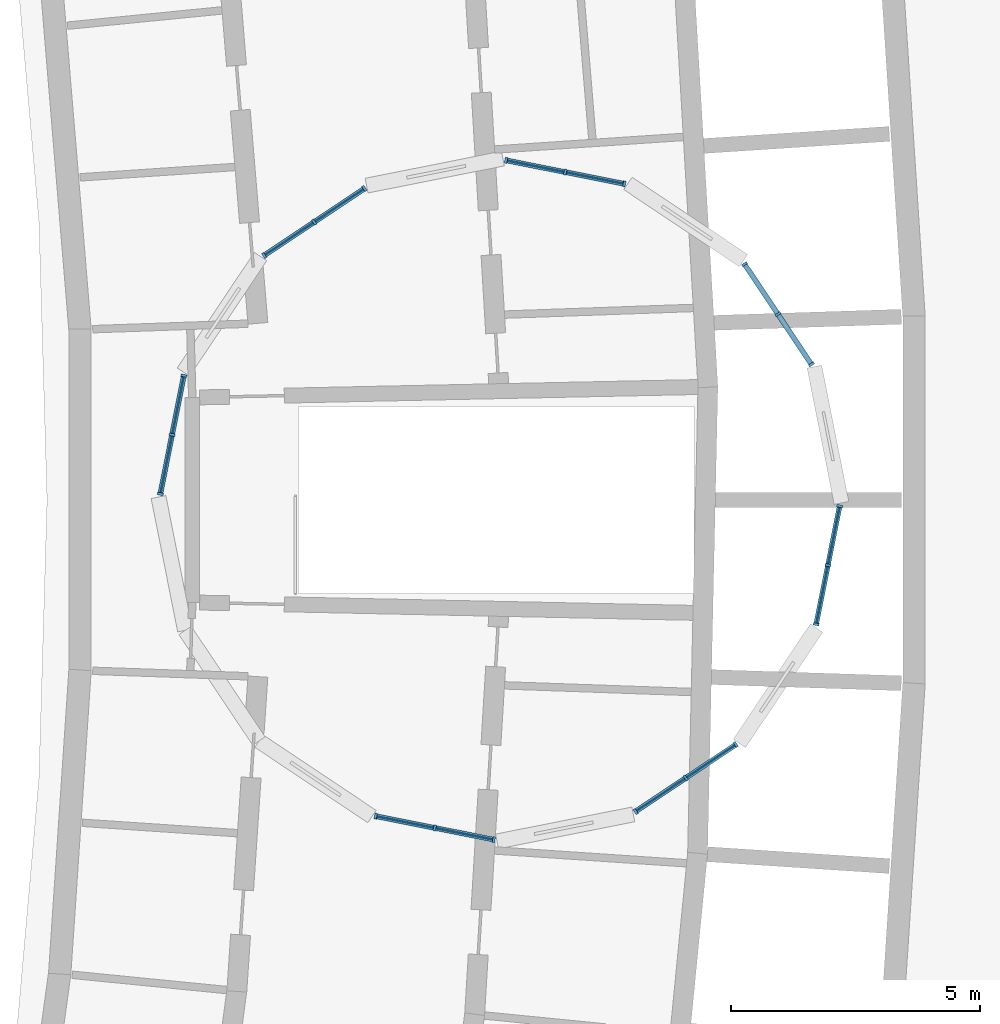
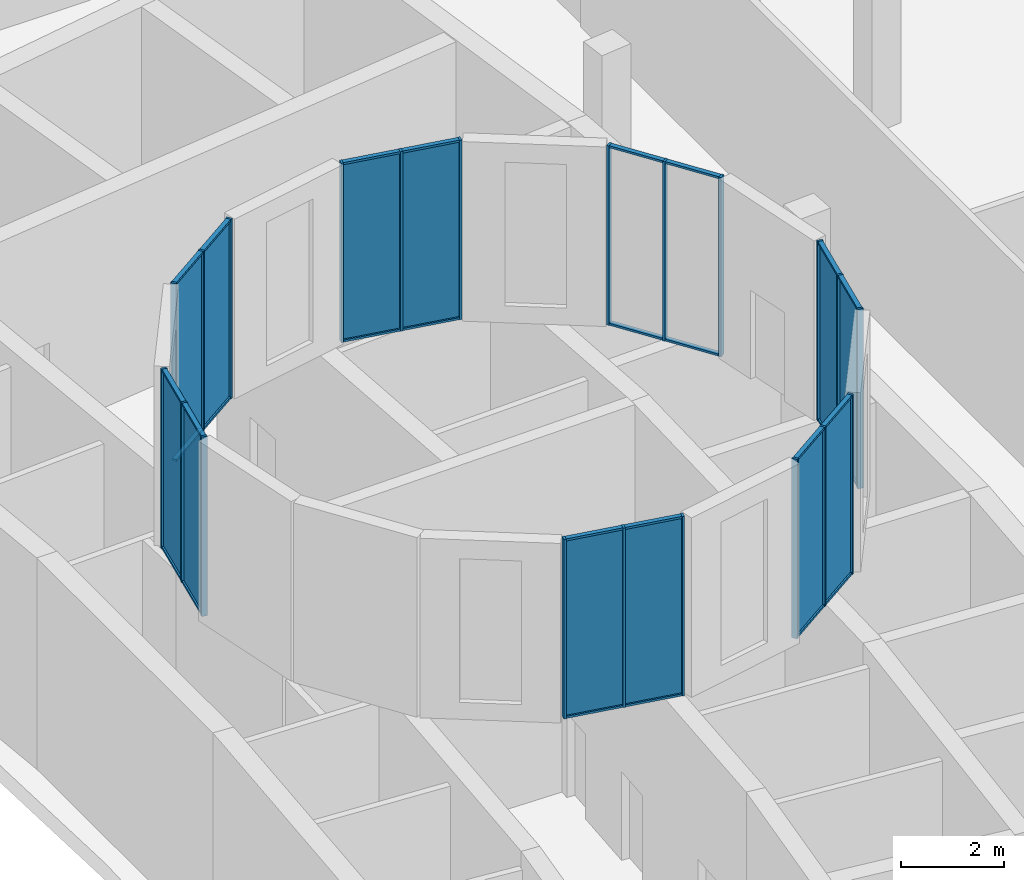
# One storey, part 2 of 9: 49 members, 12 plates, 7 elements without a shape of their own.
"""IFC4 building model written with IfcOpenShell, lengths in metres."""

from ifc_helpers import new_model, si_unit, direction, frame, origin, origin_2d, place, context, subcontext, project, spatial, rectangle, extrude, material, layer, layer_set, material_profile, profile_set, type_object, element, aggregate, save


model = new_model("IFC4")

# Units and contexts
model_context = context("Model", 3, precision=1e-05, world=origin(), true_north=direction((0.0, 1.0)))
body_context = subcontext(model_context, "Body", "Model", "MODEL_VIEW")
ifc_project = project(units=[si_unit("LENGTHUNIT", "METRE"), si_unit("AREAUNIT", "SQUARE_METRE"), si_unit("VOLUMEUNIT", "CUBIC_METRE"), si_unit("PLANEANGLEUNIT", "RADIAN"), si_unit("MASSUNIT", "GRAM", prefix="KILO")], contexts=[model_context])

# Site, building, storey
site_placement = place(None, origin())
site = spatial("IfcSite", under=ifc_project, at=site_placement, CompositionType="ELEMENT")
building_placement = place(site_placement, origin())
building = spatial("IfcBuilding", under=site, at=building_placement, Name="Alderwake Tower", CompositionType="ELEMENT")
storey_placement = place(building_placement, frame((0.0, 0.0, 310.0)))
storey = spatial("IfcBuildingStorey", under=building, at=storey_placement, Name="L75", CompositionType="ELEMENT", Elevation=310.0)

# Curtain wall, members
ifc_material_1 = material(Name="Bronze tinted glass in aluminium frame", Category="aluminium")
ifc_layer_1 = layer(ifc_material_1, 0.199951171875)
ifc_layer_set_1 = layer_set([ifc_layer_1], Name="Curtain wall CW6 crown drum glazing")
curtain_wall_type = type_object("IfcCurtainWallType", Name="Curtain wall CW6 crown drum glazing", PredefinedType="NOTDEFINED", material=ifc_layer_set_1)
curtain_wall_1_placement = place(storey_placement, origin())
curtain_wall_1 = element("IfcCurtainWall", 1, at=curtain_wall_1_placement, inside=storey, type_object=curtain_wall_type, Name="Curtain wall 1", PredefinedType="NOTDEFINED")
ifc_material_2 = material(Name="Aluminium bronze anodised", Category="aluminium")
ifc_material_profile_1 = material_profile(ifc_material_2, rectangle(XDim=0.1201171875, YDim=0.050048828125, at=origin_2d()), Name="Mullion MUF 50x120")
ifc_profile_set_1 = profile_set([ifc_material_profile_1], Name="Aluminium bronze anodised")
member_type_1 = type_object("IfcMemberType", Name="Mullion MUF 50x120", PredefinedType="MULLION", material=ifc_profile_set_1)
member_1_placement = place(storey_placement, frame((31.3564453125, 63.72412109375, 5.0), z_axis=(0.0, 0.0, 1.0), x_axis=(-0.831483427361, -0.555549556768, 0.0)))
member_1 = element("IfcMember", 2, at=member_1_placement, type_object=member_type_1, Name="CW.01 mullion 1", PredefinedType="MULLION", context=body_context, shape_type="SweptSolid", body=[
    extrude(rectangle(XDim=0.1201171875, YDim=0.050048828125, at=origin_2d()), origin(), (0.0, 0.0, 1.0), 4.25),
])
member_2_placement = place(storey_placement, frame((30.683837890625, 64.73095703125, 5.0), z_axis=(0.0, 0.0, 1.0), x_axis=(-0.831483427361, -0.555549556768, 0.0)))
member_2 = element("IfcMember", 3, at=member_2_placement, type_object=member_type_1, Name="CW.01 mullion 2", PredefinedType="MULLION", context=body_context, shape_type="SweptSolid", body=[
    extrude(rectangle(XDim=0.1201171875, YDim=0.050048828125, at=origin_2d()), origin(), (0.0, 0.0, 1.0), 4.25),
])
member_3_placement = place(storey_placement, frame((30.010986328125, 65.73779296875, 5.0), z_axis=(0.0, 0.0, 1.0), x_axis=(-0.831483427361, -0.555549556768, 0.0)))
member_3 = element("IfcMember", 4, at=member_3_placement, type_object=member_type_1, Name="CW.01 mullion 3", PredefinedType="MULLION", context=body_context, shape_type="SweptSolid", body=[
    extrude(rectangle(XDim=0.1201171875, YDim=0.050048828125, at=origin_2d()), origin(), (0.0, 0.0, 1.0), 4.25),
])

curtain_wall_2_placement = place(storey_placement, origin())
curtain_wall_2 = element("IfcCurtainWall", 5, at=curtain_wall_2_placement, inside=storey, type_object=curtain_wall_type, Name="Curtain wall 2", PredefinedType="NOTDEFINED")
member_4_placement = place(storey_placement, frame((27.59765625, 67.350341796875, 5.0), z_axis=(0.0, 0.0, 1.0), x_axis=(-0.195096755547, -0.980784000672, 0.0)))
member_4 = element("IfcMember", 6, at=member_4_placement, type_object=member_type_1, Name="CW.02 mullion 1", PredefinedType="MULLION", context=body_context, shape_type="SweptSolid", body=[
    extrude(rectangle(XDim=0.1201171875, YDim=0.050048828125, at=origin_2d()), origin(), (0.0, 0.0, 1.0), 4.25),
])
member_5_placement = place(storey_placement, frame((26.41015625, 67.58642578125, 5.0), z_axis=(0.0, 0.0, 1.0), x_axis=(-0.195096755547, -0.980784000672, 0.0)))
member_5 = element("IfcMember", 7, at=member_5_placement, type_object=member_type_1, Name="CW.02 mullion 2", PredefinedType="MULLION", context=body_context, shape_type="SweptSolid", body=[
    extrude(rectangle(XDim=0.1201171875, YDim=0.050048828125, at=origin_2d()), origin(), (0.0, 0.0, 1.0), 4.25),
])
member_6_placement = place(storey_placement, frame((25.22265625, 67.82275390625, 5.0), z_axis=(0.0, 0.0, 1.0), x_axis=(-0.195096755547, -0.980784000672, 0.0)))
member_6 = element("IfcMember", 8, at=member_6_placement, type_object=member_type_1, Name="CW.02 mullion 3", PredefinedType="MULLION", context=body_context, shape_type="SweptSolid", body=[
    extrude(rectangle(XDim=0.1201171875, YDim=0.050048828125, at=origin_2d()), origin(), (0.0, 0.0, 1.0), 4.25),
])

curtain_wall_3_placement = place(storey_placement, origin())
curtain_wall_3 = element("IfcCurtainWall", 9, at=curtain_wall_3_placement, inside=storey, type_object=curtain_wall_type, Name="Curtain wall 3", PredefinedType="NOTDEFINED")
member_7_placement = place(storey_placement, frame((22.375732421875, 67.25634765625, 5.0), z_axis=(0.0, 0.0, 1.0), x_axis=(0.555549556768, -0.831483427361, 0.0)))
member_7 = element("IfcMember", 10, at=member_7_placement, type_object=member_type_1, Name="CW.03 mullion 1", PredefinedType="MULLION", context=body_context, shape_type="SweptSolid", body=[
    extrude(rectangle(XDim=0.1201171875, YDim=0.050048828125, at=origin_2d()), origin(), (0.0, 0.0, 1.0), 4.25),
])
member_8_placement = place(storey_placement, frame((21.369140625, 66.583740234375, 5.0), z_axis=(0.0, 0.0, 1.0), x_axis=(0.555549556768, -0.831483427361, 0.0)))
member_8 = element("IfcMember", 11, at=member_8_placement, type_object=member_type_1, Name="CW.03 mullion 2", PredefinedType="MULLION", context=body_context, shape_type="SweptSolid", body=[
    extrude(rectangle(XDim=0.1201171875, YDim=0.050048828125, at=origin_2d()), origin(), (0.0, 0.0, 1.0), 4.25),
])
member_9_placement = place(storey_placement, frame((20.3623046875, 65.9111328125, 5.0), z_axis=(0.0, 0.0, 1.0), x_axis=(0.555549556768, -0.831483427361, 0.0)))
member_9 = element("IfcMember", 12, at=member_9_placement, type_object=member_type_1, Name="CW.03 mullion 3", PredefinedType="MULLION", context=body_context, shape_type="SweptSolid", body=[
    extrude(rectangle(XDim=0.1201171875, YDim=0.050048828125, at=origin_2d()), origin(), (0.0, 0.0, 1.0), 4.25),
])

curtain_wall_4_placement = place(storey_placement, origin())
curtain_wall_4 = element("IfcCurtainWall", 13, at=curtain_wall_4_placement, inside=storey, type_object=curtain_wall_type, Name="Curtain wall 4", PredefinedType="NOTDEFINED")
member_10_placement = place(storey_placement, frame((18.749755859375, 63.49755859375, 5.0), z_axis=(0.0, 0.0, 1.0), x_axis=(0.980784000672, -0.195096755547, 0.0)))
member_10 = element("IfcMember", 14, at=member_10_placement, type_object=member_type_1, Name="CW.04 mullion 1", PredefinedType="MULLION", context=body_context, shape_type="SweptSolid", body=[
    extrude(rectangle(XDim=0.1201171875, YDim=0.050048828125, at=origin_2d()), origin(), (0.0, 0.0, 1.0), 4.25),
])
member_11_placement = place(storey_placement, frame((18.513427734375, 62.31005859375, 5.0), z_axis=(0.0, 0.0, 1.0), x_axis=(0.980784000672, -0.195096755547, 0.0)))
member_11 = element("IfcMember", 15, at=member_11_placement, type_object=member_type_1, Name="CW.04 mullion 2", PredefinedType="MULLION", context=body_context, shape_type="SweptSolid", body=[
    extrude(rectangle(XDim=0.1201171875, YDim=0.050048828125, at=origin_2d()), origin(), (0.0, 0.0, 1.0), 4.25),
])
member_12_placement = place(storey_placement, frame((18.27734375, 61.12255859375, 5.0), z_axis=(0.0, 0.0, 1.0), x_axis=(0.980784000672, -0.195096755547, 0.0)))
member_12 = element("IfcMember", 16, at=member_12_placement, type_object=member_type_1, Name="CW.04 mullion 3", PredefinedType="MULLION", context=body_context, shape_type="SweptSolid", body=[
    extrude(rectangle(XDim=0.1201171875, YDim=0.050048828125, at=origin_2d()), origin(), (0.0, 0.0, 1.0), 4.25),
])

curtain_wall_5_placement = place(storey_placement, origin())
curtain_wall_5 = element("IfcCurtainWall", 17, at=curtain_wall_5_placement, inside=storey, type_object=curtain_wall_type, Name="Curtain wall 5", PredefinedType="NOTDEFINED")
member_13_placement = place(storey_placement, frame((22.602294921875, 54.649658203125, 5.0), z_axis=(0.0, 0.0, 1.0), x_axis=(0.195096755547, 0.980784000672, 0.0)))
member_13 = element("IfcMember", 18, at=member_13_placement, type_object=member_type_1, Name="CW.05 mullion 1", PredefinedType="MULLION", context=body_context, shape_type="SweptSolid", body=[
    extrude(rectangle(XDim=0.1201171875, YDim=0.050048828125, at=origin_2d()), origin(), (0.0, 0.0, 1.0), 4.25),
])
member_14_placement = place(storey_placement, frame((23.789794921875, 54.41357421875, 5.0), z_axis=(0.0, 0.0, 1.0), x_axis=(0.195096755547, 0.980784000672, 0.0)))
member_14 = element("IfcMember", 19, at=member_14_placement, type_object=member_type_1, Name="CW.05 mullion 2", PredefinedType="MULLION", context=body_context, shape_type="SweptSolid", body=[
    extrude(rectangle(XDim=0.1201171875, YDim=0.050048828125, at=origin_2d()), origin(), (0.0, 0.0, 1.0), 4.25),
])
member_15_placement = place(storey_placement, frame((24.977294921875, 54.17724609375, 5.0), z_axis=(0.0, 0.0, 1.0), x_axis=(0.195096755547, 0.980784000672, 0.0)))
member_15 = element("IfcMember", 20, at=member_15_placement, type_object=member_type_1, Name="CW.05 mullion 3", PredefinedType="MULLION", context=body_context, shape_type="SweptSolid", body=[
    extrude(rectangle(XDim=0.1201171875, YDim=0.050048828125, at=origin_2d()), origin(), (0.0, 0.0, 1.0), 4.25),
])

curtain_wall_6_placement = place(storey_placement, origin())
curtain_wall_6 = element("IfcCurtainWall", 21, at=curtain_wall_6_placement, inside=storey, type_object=curtain_wall_type, Name="Curtain wall 6", PredefinedType="NOTDEFINED")
member_16_placement = place(storey_placement, frame((27.82421875, 54.74365234375, 5.0), z_axis=(0.0, 0.0, 1.0), x_axis=(-0.555549556768, 0.831483427361, 0.0)))
member_16 = element("IfcMember", 22, at=member_16_placement, type_object=member_type_1, Name="CW.06 mullion 1", PredefinedType="MULLION", context=body_context, shape_type="SweptSolid", body=[
    extrude(rectangle(XDim=0.1201171875, YDim=0.050048828125, at=origin_2d()), origin(), (0.0, 0.0, 1.0), 4.25),
])
member_17_placement = place(storey_placement, frame((28.8310546875, 55.416259765625, 5.0), z_axis=(0.0, 0.0, 1.0), x_axis=(-0.555549556768, 0.831483427361, 0.0)))
member_17 = element("IfcMember", 23, at=member_17_placement, type_object=member_type_1, Name="CW.06 mullion 2", PredefinedType="MULLION", context=body_context, shape_type="SweptSolid", body=[
    extrude(rectangle(XDim=0.1201171875, YDim=0.050048828125, at=origin_2d()), origin(), (0.0, 0.0, 1.0), 4.25),
])
member_18_placement = place(storey_placement, frame((29.837646484375, 56.0888671875, 5.0), z_axis=(0.0, 0.0, 1.0), x_axis=(-0.555549556768, 0.831483427361, 0.0)))
member_18 = element("IfcMember", 24, at=member_18_placement, type_object=member_type_1, Name="CW.06 mullion 3", PredefinedType="MULLION", context=body_context, shape_type="SweptSolid", body=[
    extrude(rectangle(XDim=0.1201171875, YDim=0.050048828125, at=origin_2d()), origin(), (0.0, 0.0, 1.0), 4.25),
])

curtain_wall_7_placement = place(storey_placement, origin())
curtain_wall_7 = element("IfcCurtainWall", 25, at=curtain_wall_7_placement, inside=storey, type_object=curtain_wall_type, Name="Curtain wall 7", PredefinedType="NOTDEFINED")
member_19_placement = place(storey_placement, frame((31.4501953125, 58.50244140625, 5.0), z_axis=(0.0, 0.0, 1.0), x_axis=(-0.980784000672, 0.195096755547, 0.0)))
member_19 = element("IfcMember", 26, at=member_19_placement, type_object=member_type_1, Name="CW.07 mullion 1", PredefinedType="MULLION", context=body_context, shape_type="SweptSolid", body=[
    extrude(rectangle(XDim=0.1201171875, YDim=0.050048828125, at=origin_2d()), origin(), (0.0, 0.0, 1.0), 4.25),
])
member_20_placement = place(storey_placement, frame((31.6865234375, 59.68994140625, 5.0), z_axis=(0.0, 0.0, 1.0), x_axis=(-0.980784000672, 0.195096755547, 0.0)))
member_20 = element("IfcMember", 27, at=member_20_placement, type_object=member_type_1, Name="CW.07 mullion 2", PredefinedType="MULLION", context=body_context, shape_type="SweptSolid", body=[
    extrude(rectangle(XDim=0.1201171875, YDim=0.050048828125, at=origin_2d()), origin(), (0.0, 0.0, 1.0), 4.25),
])
member_21_placement = place(storey_placement, frame((31.922607421875, 60.87744140625, 5.0), z_axis=(0.0, 0.0, 1.0), x_axis=(-0.980784000672, 0.195096755547, 0.0)))
member_21 = element("IfcMember", 28, at=member_21_placement, type_object=member_type_1, Name="CW.07 mullion 3", PredefinedType="MULLION", context=body_context, shape_type="SweptSolid", body=[
    extrude(rectangle(XDim=0.1201171875, YDim=0.050048828125, at=origin_2d()), origin(), (0.0, 0.0, 1.0), 4.25),
])

# Member
ifc_material_3 = material(Name="Aluminium bronze anodised", Category="aluminium")
ifc_material_profile_2 = material_profile(ifc_material_3, rectangle(XDim=0.10009765625, YDim=0.050048828125, at=origin_2d()), Name="Transom TRF 50x100")
ifc_profile_set_2 = profile_set([ifc_material_profile_2], Name="Aluminium bronze anodised")
member_type_2 = type_object("IfcMemberType", Name="Transom TRF 50x100", PredefinedType="USERDEFINED", material=ifc_profile_set_2)
member_22_placement = place(storey_placement, frame((31.342529296875, 63.744873046875, 5.02490234375), z_axis=(-0.555427979103, 0.831564645731, 0.0), x_axis=(-0.831564645731, -0.555427979103, 0.0)))
member_22 = element("IfcMember", 29, at=member_22_placement, type_object=member_type_2, Name="CW.01 transom 1.1", ObjectType="TRANSOM", PredefinedType="USERDEFINED", context=body_context, shape_type="SweptSolid", body=[
    extrude(rectangle(XDim=0.10009765625, YDim=0.050048828125, at=origin_2d()), origin(), (0.0, 0.0, 1.0), 1.160888671875),
])

member_23_placement = place(storey_placement, frame((31.342529296875, 63.744873046875, 9.22509765625), z_axis=(-0.555427979103, 0.831564645731, 0.0), x_axis=(-0.831564645731, -0.555427979103, 0.0)))
member_23 = element("IfcMember", 30, at=member_23_placement, type_object=member_type_2, Name="CW.01 transom 1.2", ObjectType="TRANSOM", PredefinedType="USERDEFINED", context=body_context, shape_type="SweptSolid", body=[
    extrude(rectangle(XDim=0.10009765625, YDim=0.050048828125, at=origin_2d()), origin(), (0.0, 0.0, 1.0), 1.160888671875),
])

member_24_placement = place(storey_placement, frame((30.669921875, 64.751708984375, 5.02490234375), z_axis=(-0.555573382746, 0.831467507714, 0.0), x_axis=(-0.831467507714, -0.555573382746, 0.0)))
member_24 = element("IfcMember", 31, at=member_24_placement, type_object=member_type_2, Name="CW.01 transom 2.1", ObjectType="TRANSOM", PredefinedType="USERDEFINED", context=body_context, shape_type="SweptSolid", body=[
    extrude(rectangle(XDim=0.10009765625, YDim=0.050048828125, at=origin_2d()), origin(), (0.0, 0.0, 1.0), 1.160888671875),
])

member_25_placement = place(storey_placement, frame((30.669921875, 64.751708984375, 9.22509765625), z_axis=(-0.555573382746, 0.831467507714, 0.0), x_axis=(-0.831467507714, -0.555573382746, 0.0)))
member_25 = element("IfcMember", 32, at=member_25_placement, type_object=member_type_2, Name="CW.01 transom 2.2", ObjectType="TRANSOM", PredefinedType="USERDEFINED", context=body_context, shape_type="SweptSolid", body=[
    extrude(rectangle(XDim=0.10009765625, YDim=0.050048828125, at=origin_2d()), origin(), (0.0, 0.0, 1.0), 1.160888671875),
])

aggregate(curtain_wall_1, [member_1, member_2, member_3, member_22, member_23, member_24, member_25])

member_26_placement = place(storey_placement, frame((27.5732421875, 67.355224609375, 5.02490234375), z_axis=(-0.98081453383, 0.19494319744, 0.0), x_axis=(-0.19494319744, -0.98081453383, 0.0)))
member_26 = element("IfcMember", 33, at=member_26_placement, type_object=member_type_2, Name="CW.02 transom 1.1", ObjectType="TRANSOM", PredefinedType="USERDEFINED", context=body_context, shape_type="SweptSolid", body=[
    extrude(rectangle(XDim=0.10009765625, YDim=0.050048828125, at=origin_2d()), origin(), (0.0, 0.0, 1.0), 1.160888671875),
])

member_27_placement = place(storey_placement, frame((27.5732421875, 67.355224609375, 9.22509765625), z_axis=(-0.98081453383, 0.19494319744, 0.0), x_axis=(-0.19494319744, -0.98081453383, 0.0)))
member_27 = element("IfcMember", 34, at=member_27_placement, type_object=member_type_2, Name="CW.02 transom 1.2", ObjectType="TRANSOM", PredefinedType="USERDEFINED", context=body_context, shape_type="SweptSolid", body=[
    extrude(rectangle(XDim=0.10009765625, YDim=0.050048828125, at=origin_2d()), origin(), (0.0, 0.0, 1.0), 1.160888671875),
])

member_28_placement = place(storey_placement, frame((26.3857421875, 67.59130859375, 5.02490234375), z_axis=(-0.980774305612, 0.195145487909, 0.0), x_axis=(-0.195145487909, -0.980774305612, 0.0)))
member_28 = element("IfcMember", 35, at=member_28_placement, type_object=member_type_2, Name="CW.02 transom 2.1", ObjectType="TRANSOM", PredefinedType="USERDEFINED", context=body_context, shape_type="SweptSolid", body=[
    extrude(rectangle(XDim=0.10009765625, YDim=0.050048828125, at=origin_2d()), origin(), (0.0, 0.0, 1.0), 1.160888671875),
])

member_29_placement = place(storey_placement, frame((26.3857421875, 67.59130859375, 9.22509765625), z_axis=(-0.980774305612, 0.195145487909, 0.0), x_axis=(-0.195145487909, -0.980774305612, 0.0)))
member_29 = element("IfcMember", 36, at=member_29_placement, type_object=member_type_2, Name="CW.02 transom 2.2", ObjectType="TRANSOM", PredefinedType="USERDEFINED", context=body_context, shape_type="SweptSolid", body=[
    extrude(rectangle(XDim=0.10009765625, YDim=0.050048828125, at=origin_2d()), origin(), (0.0, 0.0, 1.0), 1.160888671875),
])

member_30_placement = place(storey_placement, frame((22.35498046875, 67.242431640625, 5.02490234375), z_axis=(-0.831499748107, -0.555525128953, 0.0), x_axis=(0.555525128953, -0.831499748107, 0.0)))
member_30 = element("IfcMember", 37, at=member_30_placement, type_object=member_type_2, Name="CW.03 transom 1.1", ObjectType="TRANSOM", PredefinedType="USERDEFINED", context=body_context, shape_type="SweptSolid", body=[
    extrude(rectangle(XDim=0.10009765625, YDim=0.050048828125, at=origin_2d()), origin(), (0.0, 0.0, 1.0), 1.16064453125),
])

member_31_placement = place(storey_placement, frame((22.35498046875, 67.242431640625, 9.22509765625), z_axis=(-0.831499748107, -0.555525128953, 0.0), x_axis=(0.555525128953, -0.831499748107, 0.0)))
member_31 = element("IfcMember", 38, at=member_31_placement, type_object=member_type_2, Name="CW.03 transom 1.2", ObjectType="TRANSOM", PredefinedType="USERDEFINED", context=body_context, shape_type="SweptSolid", body=[
    extrude(rectangle(XDim=0.10009765625, YDim=0.050048828125, at=origin_2d()), origin(), (0.0, 0.0, 1.0), 1.16064453125),
])

member_32_placement = place(storey_placement, frame((21.34814453125, 66.56982421875, 5.02490234375), z_axis=(-0.831499748107, -0.555525128953, 0.0), x_axis=(0.555525128953, -0.831499748107, 0.0)))
member_32 = element("IfcMember", 39, at=member_32_placement, type_object=member_type_2, Name="CW.03 transom 2.1", ObjectType="TRANSOM", PredefinedType="USERDEFINED", context=body_context, shape_type="SweptSolid", body=[
    extrude(rectangle(XDim=0.10009765625, YDim=0.050048828125, at=origin_2d()), origin(), (0.0, 0.0, 1.0), 1.16064453125),
])

member_33_placement = place(storey_placement, frame((21.34814453125, 66.56982421875, 9.22509765625), z_axis=(-0.831499748107, -0.555525128953, 0.0), x_axis=(0.555525128953, -0.831499748107, 0.0)))
member_33 = element("IfcMember", 40, at=member_33_placement, type_object=member_type_2, Name="CW.03 transom 2.2", ObjectType="TRANSOM", PredefinedType="USERDEFINED", context=body_context, shape_type="SweptSolid", body=[
    extrude(rectangle(XDim=0.10009765625, YDim=0.050048828125, at=origin_2d()), origin(), (0.0, 0.0, 1.0), 1.16064453125),
])

member_34_placement = place(storey_placement, frame((18.744873046875, 63.47314453125, 5.02490234375), z_axis=(-0.195185743475, -0.980766295069, 0.0), x_axis=(0.980766295069, -0.195185743475, 0.0)))
member_34 = element("IfcMember", 41, at=member_34_placement, type_object=member_type_2, Name="CW.04 transom 1.1", ObjectType="TRANSOM", PredefinedType="USERDEFINED", context=body_context, shape_type="SweptSolid", body=[
    extrude(rectangle(XDim=0.10009765625, YDim=0.050048828125, at=origin_2d()), origin(), (0.0, 0.0, 1.0), 1.16064453125),
])

member_35_placement = place(storey_placement, frame((18.744873046875, 63.47314453125, 9.22509765625), z_axis=(-0.195185743475, -0.980766295069, 0.0), x_axis=(0.980766295069, -0.195185743475, 0.0)))
member_35 = element("IfcMember", 42, at=member_35_placement, type_object=member_type_2, Name="CW.04 transom 1.2", ObjectType="TRANSOM", PredefinedType="USERDEFINED", context=body_context, shape_type="SweptSolid", body=[
    extrude(rectangle(XDim=0.10009765625, YDim=0.050048828125, at=origin_2d()), origin(), (0.0, 0.0, 1.0), 1.16064453125),
])

member_36_placement = place(storey_placement, frame((18.508544921875, 62.28564453125, 5.02490234375), z_axis=(-0.194983414577, -0.980806539558, 0.0), x_axis=(0.980806539558, -0.194983414577, 0.0)))
member_36 = element("IfcMember", 43, at=member_36_placement, type_object=member_type_2, Name="CW.04 transom 2.1", ObjectType="TRANSOM", PredefinedType="USERDEFINED", context=body_context, shape_type="SweptSolid", body=[
    extrude(rectangle(XDim=0.10009765625, YDim=0.050048828125, at=origin_2d()), origin(), (0.0, 0.0, 1.0), 1.16064453125),
])

member_37_placement = place(storey_placement, frame((18.508544921875, 62.28564453125, 9.22509765625), z_axis=(-0.194983414577, -0.980806539558, 0.0), x_axis=(0.980806539558, -0.194983414577, 0.0)))
member_37 = element("IfcMember", 44, at=member_37_placement, type_object=member_type_2, Name="CW.04 transom 2.2", ObjectType="TRANSOM", PredefinedType="USERDEFINED", context=body_context, shape_type="SweptSolid", body=[
    extrude(rectangle(XDim=0.10009765625, YDim=0.050048828125, at=origin_2d()), origin(), (0.0, 0.0, 1.0), 1.16064453125),
])

member_38_placement = place(storey_placement, frame((22.626953125, 54.644775390625, 5.02490234375), z_axis=(0.980806539558, -0.194983414577, 0.0), x_axis=(0.194983414577, 0.980806539558, 0.0)))
member_38 = element("IfcMember", 45, at=member_38_placement, type_object=member_type_2, Name="CW.05 transom 1.1", ObjectType="TRANSOM", PredefinedType="USERDEFINED", context=body_context, shape_type="SweptSolid", body=[
    extrude(rectangle(XDim=0.10009765625, YDim=0.050048828125, at=origin_2d()), origin(), (0.0, 0.0, 1.0), 1.16064453125),
])

member_39_placement = place(storey_placement, frame((22.626953125, 54.644775390625, 9.22509765625), z_axis=(0.980806539558, -0.194983414577, 0.0), x_axis=(0.194983414577, 0.980806539558, 0.0)))
member_39 = element("IfcMember", 46, at=member_39_placement, type_object=member_type_2, Name="CW.05 transom 1.2", ObjectType="TRANSOM", PredefinedType="USERDEFINED", context=body_context, shape_type="SweptSolid", body=[
    extrude(rectangle(XDim=0.10009765625, YDim=0.050048828125, at=origin_2d()), origin(), (0.0, 0.0, 1.0), 1.16064453125),
])

member_40_placement = place(storey_placement, frame((23.814453125, 54.40869140625, 5.02490234375), z_axis=(0.980766295069, -0.195185743475, 0.0), x_axis=(0.195185743475, 0.980766295069, 0.0)))
member_40 = element("IfcMember", 47, at=member_40_placement, type_object=member_type_2, Name="CW.05 transom 2.1", ObjectType="TRANSOM", PredefinedType="USERDEFINED", context=body_context, shape_type="SweptSolid", body=[
    extrude(rectangle(XDim=0.10009765625, YDim=0.050048828125, at=origin_2d()), origin(), (0.0, 0.0, 1.0), 1.16064453125),
])

member_41_placement = place(storey_placement, frame((23.814453125, 54.40869140625, 9.22509765625), z_axis=(0.980766295069, -0.195185743475, 0.0), x_axis=(0.195185743475, 0.980766295069, 0.0)))
member_41 = element("IfcMember", 48, at=member_41_placement, type_object=member_type_2, Name="CW.05 transom 2.2", ObjectType="TRANSOM", PredefinedType="USERDEFINED", context=body_context, shape_type="SweptSolid", body=[
    extrude(rectangle(XDim=0.10009765625, YDim=0.050048828125, at=origin_2d()), origin(), (0.0, 0.0, 1.0), 1.16064453125),
])

member_42_placement = place(storey_placement, frame((27.844970703125, 54.757568359375, 5.02490234375), z_axis=(0.831499748107, 0.555525128953, 0.0), x_axis=(-0.555525128953, 0.831499748107, 0.0)))
member_42 = element("IfcMember", 49, at=member_42_placement, type_object=member_type_2, Name="CW.06 transom 1.1", ObjectType="TRANSOM", PredefinedType="USERDEFINED", context=body_context, shape_type="SweptSolid", body=[
    extrude(rectangle(XDim=0.10009765625, YDim=0.050048828125, at=origin_2d()), origin(), (0.0, 0.0, 1.0), 1.16064453125),
])

member_43_placement = place(storey_placement, frame((27.844970703125, 54.757568359375, 9.22509765625), z_axis=(0.831499748107, 0.555525128953, 0.0), x_axis=(-0.555525128953, 0.831499748107, 0.0)))
member_43 = element("IfcMember", 50, at=member_43_placement, type_object=member_type_2, Name="CW.06 transom 1.2", ObjectType="TRANSOM", PredefinedType="USERDEFINED", context=body_context, shape_type="SweptSolid", body=[
    extrude(rectangle(XDim=0.10009765625, YDim=0.050048828125, at=origin_2d()), origin(), (0.0, 0.0, 1.0), 1.16064453125),
])

member_44_placement = place(storey_placement, frame((28.851806640625, 55.43017578125, 5.02490234375), z_axis=(0.831499748107, 0.555525128953, 0.0), x_axis=(-0.555525128953, 0.831499748107, 0.0)))
member_44 = element("IfcMember", 51, at=member_44_placement, type_object=member_type_2, Name="CW.06 transom 2.1", ObjectType="TRANSOM", PredefinedType="USERDEFINED", context=body_context, shape_type="SweptSolid", body=[
    extrude(rectangle(XDim=0.10009765625, YDim=0.050048828125, at=origin_2d()), origin(), (0.0, 0.0, 1.0), 1.16064453125),
])

member_45_placement = place(storey_placement, frame((28.851806640625, 55.43017578125, 9.22509765625), z_axis=(0.831499748107, 0.555525128953, 0.0), x_axis=(-0.555525128953, 0.831499748107, 0.0)))
member_45 = element("IfcMember", 52, at=member_45_placement, type_object=member_type_2, Name="CW.06 transom 2.2", ObjectType="TRANSOM", PredefinedType="USERDEFINED", context=body_context, shape_type="SweptSolid", body=[
    extrude(rectangle(XDim=0.10009765625, YDim=0.050048828125, at=origin_2d()), origin(), (0.0, 0.0, 1.0), 1.16064453125),
])

member_46_placement = place(storey_placement, frame((31.455078125, 58.52685546875, 5.02490234375), z_axis=(0.195185743475, 0.980766295069, 0.0), x_axis=(-0.980766295069, 0.195185743475, 0.0)))
member_46 = element("IfcMember", 53, at=member_46_placement, type_object=member_type_2, Name="CW.07 transom 1.1", ObjectType="TRANSOM", PredefinedType="USERDEFINED", context=body_context, shape_type="SweptSolid", body=[
    extrude(rectangle(XDim=0.10009765625, YDim=0.050048828125, at=origin_2d()), origin(), (0.0, 0.0, 1.0), 1.16064453125),
])

member_47_placement = place(storey_placement, frame((31.455078125, 58.52685546875, 9.22509765625), z_axis=(0.195185743475, 0.980766295069, 0.0), x_axis=(-0.980766295069, 0.195185743475, 0.0)))
member_47 = element("IfcMember", 54, at=member_47_placement, type_object=member_type_2, Name="CW.07 transom 1.2", ObjectType="TRANSOM", PredefinedType="USERDEFINED", context=body_context, shape_type="SweptSolid", body=[
    extrude(rectangle(XDim=0.10009765625, YDim=0.050048828125, at=origin_2d()), origin(), (0.0, 0.0, 1.0), 1.16064453125),
])

member_48_placement = place(storey_placement, frame((31.69140625, 59.71435546875, 5.02490234375), z_axis=(0.194983414577, 0.980806539558, 0.0), x_axis=(-0.980806539558, 0.194983414577, 0.0)))
member_48 = element("IfcMember", 55, at=member_48_placement, type_object=member_type_2, Name="CW.07 transom 2.1", ObjectType="TRANSOM", PredefinedType="USERDEFINED", context=body_context, shape_type="SweptSolid", body=[
    extrude(rectangle(XDim=0.10009765625, YDim=0.050048828125, at=origin_2d()), origin(), (0.0, 0.0, 1.0), 1.16064453125),
])

member_49_placement = place(storey_placement, frame((31.69140625, 59.71435546875, 9.22509765625), z_axis=(0.194983414577, 0.980806539558, 0.0), x_axis=(-0.980806539558, 0.194983414577, 0.0)))
member_49 = element("IfcMember", 56, at=member_49_placement, type_object=member_type_2, Name="CW.07 transom 2.2", ObjectType="TRANSOM", PredefinedType="USERDEFINED", context=body_context, shape_type="SweptSolid", body=[
    extrude(rectangle(XDim=0.10009765625, YDim=0.050048828125, at=origin_2d()), origin(), (0.0, 0.0, 1.0), 1.16064453125),
])

# Plate
ifc_material_4 = material(Name="Bronze tinted glass in aluminium frame", Category="aluminium")
ifc_layer_2 = layer(ifc_material_4, 0.02392578125)
ifc_layer_set_2 = layer_set([ifc_layer_2], Name="Glass panel GPF 24")
plate_type = type_object("IfcPlateType", Name="Glass panel GPF 24", PredefinedType="CURTAIN_PANEL", material=ifc_layer_set_2)
plate_1_placement = place(storey_placement, frame((27.00390625, 67.468505859375, 5.050048828125), z_axis=(0.0, 0.0, 1.0), x_axis=(-0.980784000672, 0.195096755547, 0.0)))
plate_1 = element("IfcPlate", 57, at=plate_1_placement, type_object=plate_type, Name="CW.02 panel 1.1", PredefinedType="CURTAIN_PANEL", context=body_context, shape_type="SweptSolid", body=[
    extrude(rectangle(XDim=1.160888671875, YDim=0.02392578125, at=origin_2d()), origin(), (0.0, 0.0, 1.0), 4.14990234375),
])

plate_2_placement = place(storey_placement, frame((25.81640625, 67.70458984375, 5.050048828125), z_axis=(0.0, 0.0, 1.0), x_axis=(-0.980784000672, 0.195096755547, 0.0)))
plate_2 = element("IfcPlate", 58, at=plate_2_placement, type_object=plate_type, Name="CW.02 panel 2.1", PredefinedType="CURTAIN_PANEL", context=body_context, shape_type="SweptSolid", body=[
    extrude(rectangle(XDim=1.160888671875, YDim=0.02392578125, at=origin_2d()), origin(), (0.0, 0.0, 1.0), 4.14990234375),
])

aggregate(curtain_wall_2, [member_4, member_5, member_6, member_26, member_27, plate_1, member_28, member_29, plate_2])

plate_3_placement = place(storey_placement, frame((21.872314453125, 66.920166015625, 5.050048828125), z_axis=(0.0, 0.0, 1.0), x_axis=(-0.831483427361, -0.555549556768, 0.0)))
plate_3 = element("IfcPlate", 59, at=plate_3_placement, type_object=plate_type, Name="CW.03 panel 1.1", PredefinedType="CURTAIN_PANEL", context=body_context, shape_type="SweptSolid", body=[
    extrude(rectangle(XDim=1.160888671875, YDim=0.02392578125, at=origin_2d()), origin(), (0.0, 0.0, 1.0), 4.14990234375),
])

plate_4_placement = place(storey_placement, frame((20.86572265625, 66.247314453125, 5.050048828125), z_axis=(0.0, 0.0, 1.0), x_axis=(-0.831483427361, -0.555549556768, 0.0)))
plate_4 = element("IfcPlate", 60, at=plate_4_placement, type_object=plate_type, Name="CW.03 panel 2.1", PredefinedType="CURTAIN_PANEL", context=body_context, shape_type="SweptSolid", body=[
    extrude(rectangle(XDim=1.160888671875, YDim=0.02392578125, at=origin_2d()), origin(), (0.0, 0.0, 1.0), 4.14990234375),
])

aggregate(curtain_wall_3, [member_7, member_8, member_9, member_30, member_31, plate_3, member_32, member_33, plate_4])

plate_5_placement = place(storey_placement, frame((18.631591796875, 62.90380859375, 5.050048828125), z_axis=(0.0, 0.0, 1.0), x_axis=(-0.195096755547, -0.980784000672, 0.0)))
plate_5 = element("IfcPlate", 61, at=plate_5_placement, type_object=plate_type, Name="CW.04 panel 1.1", PredefinedType="CURTAIN_PANEL", context=body_context, shape_type="SweptSolid", body=[
    extrude(rectangle(XDim=1.160888671875, YDim=0.02392578125, at=origin_2d()), origin(), (0.0, 0.0, 1.0), 4.14990234375),
])

plate_6_placement = place(storey_placement, frame((18.3955078125, 61.71630859375, 5.050048828125), z_axis=(0.0, 0.0, 1.0), x_axis=(-0.195096755547, -0.980784000672, 0.0)))
plate_6 = element("IfcPlate", 62, at=plate_6_placement, type_object=plate_type, Name="CW.04 panel 2.1", PredefinedType="CURTAIN_PANEL", context=body_context, shape_type="SweptSolid", body=[
    extrude(rectangle(XDim=1.160888671875, YDim=0.02392578125, at=origin_2d()), origin(), (0.0, 0.0, 1.0), 4.14990234375),
])

aggregate(curtain_wall_4, [member_10, member_11, member_12, member_34, member_35, plate_5, member_36, member_37, plate_6])

plate_7_placement = place(storey_placement, frame((23.196044921875, 54.531494140625, 5.050048828125), z_axis=(0.0, 0.0, 1.0), x_axis=(0.980784000672, -0.195096755547, 0.0)))
plate_7 = element("IfcPlate", 63, at=plate_7_placement, type_object=plate_type, Name="CW.05 panel 1.1", PredefinedType="CURTAIN_PANEL", context=body_context, shape_type="SweptSolid", body=[
    extrude(rectangle(XDim=1.160888671875, YDim=0.02392578125, at=origin_2d()), origin(), (0.0, 0.0, 1.0), 4.14990234375),
])

plate_8_placement = place(storey_placement, frame((24.383544921875, 54.29541015625, 5.050048828125), z_axis=(0.0, 0.0, 1.0), x_axis=(0.980784000672, -0.195096755547, 0.0)))
plate_8 = element("IfcPlate", 64, at=plate_8_placement, type_object=plate_type, Name="CW.05 panel 2.1", PredefinedType="CURTAIN_PANEL", context=body_context, shape_type="SweptSolid", body=[
    extrude(rectangle(XDim=1.160888671875, YDim=0.02392578125, at=origin_2d()), origin(), (0.0, 0.0, 1.0), 4.14990234375),
])

aggregate(curtain_wall_5, [member_13, member_14, member_15, member_38, member_39, plate_7, member_40, member_41, plate_8])

plate_9_placement = place(storey_placement, frame((28.32763671875, 55.079833984375, 5.050048828125), z_axis=(0.0, 0.0, 1.0), x_axis=(0.831483427361, 0.555549556768, 0.0)))
plate_9 = element("IfcPlate", 65, at=plate_9_placement, type_object=plate_type, Name="CW.06 panel 1.1", PredefinedType="CURTAIN_PANEL", context=body_context, shape_type="SweptSolid", body=[
    extrude(rectangle(XDim=1.160888671875, YDim=0.02392578125, at=origin_2d()), origin(), (0.0, 0.0, 1.0), 4.14990234375),
])

plate_10_placement = place(storey_placement, frame((29.334228515625, 55.752685546875, 5.050048828125), z_axis=(0.0, 0.0, 1.0), x_axis=(0.831483427361, 0.555549556768, 0.0)))
plate_10 = element("IfcPlate", 66, at=plate_10_placement, type_object=plate_type, Name="CW.06 panel 2.1", PredefinedType="CURTAIN_PANEL", context=body_context, shape_type="SweptSolid", body=[
    extrude(rectangle(XDim=1.160888671875, YDim=0.02392578125, at=origin_2d()), origin(), (0.0, 0.0, 1.0), 4.14990234375),
])

aggregate(curtain_wall_6, [member_16, member_17, member_18, member_42, member_43, plate_9, member_44, member_45, plate_10])

plate_11_placement = place(storey_placement, frame((31.568359375, 59.09619140625, 5.050048828125), z_axis=(0.0, 0.0, 1.0), x_axis=(0.195096755547, 0.980784000672, 0.0)))
plate_11 = element("IfcPlate", 67, at=plate_11_placement, type_object=plate_type, Name="CW.07 panel 1.1", PredefinedType="CURTAIN_PANEL", context=body_context, shape_type="SweptSolid", body=[
    extrude(rectangle(XDim=1.160888671875, YDim=0.02392578125, at=origin_2d()), origin(), (0.0, 0.0, 1.0), 4.14990234375),
])

plate_12_placement = place(storey_placement, frame((31.8046875, 60.28369140625, 5.050048828125), z_axis=(0.0, 0.0, 1.0), x_axis=(0.195096755547, 0.980784000672, 0.0)))
plate_12 = element("IfcPlate", 68, at=plate_12_placement, type_object=plate_type, Name="CW.07 panel 2.1", PredefinedType="CURTAIN_PANEL", context=body_context, shape_type="SweptSolid", body=[
    extrude(rectangle(XDim=1.160888671875, YDim=0.02392578125, at=origin_2d()), origin(), (0.0, 0.0, 1.0), 4.14990234375),
])

aggregate(curtain_wall_7, [member_19, member_20, member_21, member_46, member_47, plate_11, member_48, member_49, plate_12])

save(model, "model.ifc")
